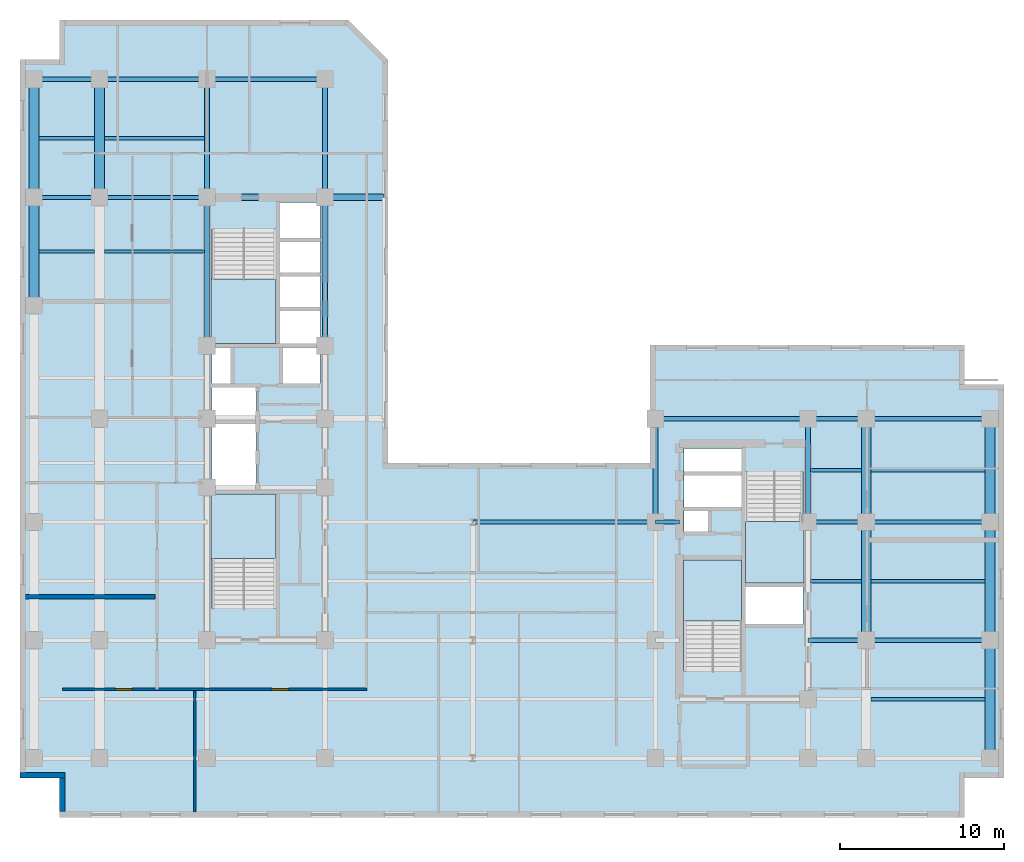
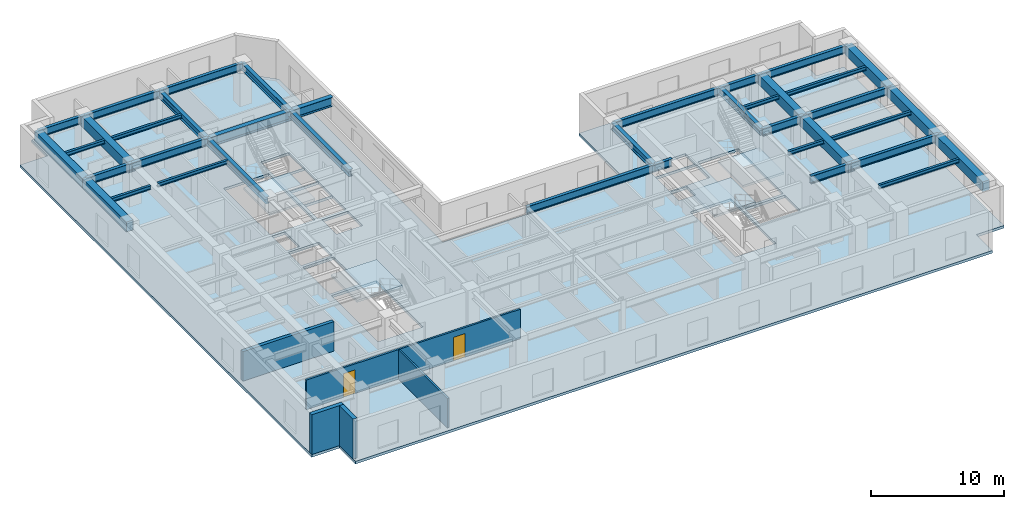
# One storey, part 2 of 10: 38 beams, 5 slabs, 5 walls, 2 doors, 2 openings, 4 elements without a shape of their own.
"""IFC4 building model written with IfcOpenShell, lengths in metres."""

from ifc_helpers import new_model, entity, si_unit, converted_unit, direction, frame, origin_with_axes, origin_2d_with_axis, place, context, subcontext, project, spatial, polyline, rectangle, i_section, outline, extrude, material, layer, layer_set, material_profile, profile_set, type_object, element, fill, aggregate, save


model = new_model("IFC4")

# Units and contexts
model_context = context("Model", 3, precision=1e-05, world=origin_with_axes(), true_north=direction((0.0, 1.0)))
body_context = subcontext(model_context, "Body", "Model", "MODEL_VIEW")
ifc_project = project(units=[si_unit("LENGTHUNIT", "METRE"), si_unit("AREAUNIT", "SQUARE_METRE"), si_unit("VOLUMEUNIT", "CUBIC_METRE"), converted_unit("PLANEANGLEUNIT", "DEGREE", entity("IfcPlaneAngleMeasure", 0.017453292519943295), si_unit("PLANEANGLEUNIT", "RADIAN"), dimensions=[0, 0, 0, 0, 0, 0, 0]), si_unit("MASSUNIT", "GRAM", prefix="KILO"), si_unit("THERMODYNAMICTEMPERATUREUNIT", "KELVIN")], contexts=[model_context])

# Site, building, storey
site_placement = place(None, origin_with_axes())
site = spatial("IfcSite", under=ifc_project, at=site_placement, CompositionType="ELEMENT")
building_placement = place(site_placement, origin_with_axes())
building = spatial("IfcBuilding", under=site, at=building_placement, Name="Varnlund Millrace Tower", CompositionType="ELEMENT")
storey_placement = place(building_placement, frame((0.0, 0.0, 148.5), z_axis=(0.0, 0.0, 1.0), x_axis=(1.0, 0.0, 0.0)))
storey = spatial("IfcBuildingStorey", under=building, at=storey_placement, Name="L36", CompositionType="ELEMENT", Elevation=148.5)

# Beams
ifc_material_1 = material(Name="Steel ASTM A992 Grade 50", Category="steel")
ifc_material_profile_1 = material_profile(ifc_material_1, i_section(OverallWidth=0.328, OverallDepth=0.628, WebThickness=0.0165, FlangeThickness=0.0277, FilletRadius=0.018, at=origin_2d_with_axis()), Name="Steel ASTM A992 Grade 50")
ifc_profile_set_1 = profile_set([ifc_material_profile_1], Name="Steel ASTM A992 Grade 50")
beam_type_1 = type_object("IfcBeamType", Name="Type-Girder-W24X146", PredefinedType="USERDEFINED", material=ifc_profile_set_1)
beam_1_placement = place(storey_placement, frame((11.4, 28.75, 3.346), z_axis=(0.0, 1.0, 0.0), x_axis=(-1.0, 0.0, 0.0)))
element("IfcBeam", 1, at=beam_1_placement, inside=storey, type_object=beam_type_1, Name="Type-Girder-W24X146", ObjectType="GIRDER", PredefinedType="USERDEFINED", context=body_context, shape_type="SweptSolid", body=[
    extrude(i_section(OverallWidth=0.328, OverallDepth=0.628, WebThickness=0.0165, FlangeThickness=0.0277, FilletRadius=0.018, at=origin_2d_with_axis()), origin_with_axes(), (0.0, 0.0, 1.0), 9.05),
])
beam_2_placement = place(storey_placement, frame((11.4, 37.8, 3.346), z_axis=(0.0, 1.0, 0.0), x_axis=(-1.0, 0.0, 0.0)))
element("IfcBeam", 2, at=beam_2_placement, inside=storey, type_object=beam_type_1, Name="Type-Girder-W24X146", ObjectType="GIRDER", PredefinedType="USERDEFINED", context=body_context, shape_type="SweptSolid", body=[
    extrude(i_section(OverallWidth=0.328, OverallDepth=0.628, WebThickness=0.0165, FlangeThickness=0.0277, FilletRadius=0.018, at=origin_2d_with_axis()), origin_with_axes(), (0.0, 0.0, 1.0), 7.2),
])
beam_3_placement = place(storey_placement, frame((18.6, 28.75, 3.346), z_axis=(0.0, 1.0, 0.0), x_axis=(-1.0, 0.0, 0.0)))
element("IfcBeam", 3, at=beam_3_placement, inside=storey, type_object=beam_type_1, Name="Type-Girder-W24X146", ObjectType="GIRDER", PredefinedType="USERDEFINED", context=body_context, shape_type="SweptSolid", body=[
    extrude(i_section(OverallWidth=0.328, OverallDepth=0.628, WebThickness=0.0165, FlangeThickness=0.0277, FilletRadius=0.018, at=origin_2d_with_axis()), origin_with_axes(), (0.0, 0.0, 1.0), 9.05),
])
beam_4_placement = place(storey_placement, frame((18.6, 37.8, 3.346), z_axis=(0.0, 1.0, 0.0), x_axis=(-1.0, 0.0, 0.0)))
element("IfcBeam", 4, at=beam_4_placement, inside=storey, type_object=beam_type_1, Name="Type-Girder-W24X146", ObjectType="GIRDER", PredefinedType="USERDEFINED", context=body_context, shape_type="SweptSolid", body=[
    extrude(i_section(OverallWidth=0.328, OverallDepth=0.628, WebThickness=0.0165, FlangeThickness=0.0277, FilletRadius=0.018, at=origin_2d_with_axis()), origin_with_axes(), (0.0, 0.0, 1.0), 7.2),
])
for number, where, z_axis, x_axis, name in (
    (5, (38.75, 18.0, 3.346), (0.0, 1.0, 0.0), (-1.0, 0.0, 0.0), "Type-Girder-W24X146"),
    (6, (48.05, 18.0, 3.346), (0.0, 1.0, 0.0), (-1.0, 0.0, 0.0), "Type-Girder-W24X146"),
):
    element("IfcBeam", number, at=place(storey_placement, frame(where, z_axis=z_axis, x_axis=x_axis)), inside=storey, type_object=beam_type_1, Name=name, ObjectType="GIRDER", PredefinedType="USERDEFINED", context=body_context, shape_type="SweptSolid", body=[
        extrude(i_section(OverallWidth=0.328, OverallDepth=0.628, WebThickness=0.0165, FlangeThickness=0.0277, FilletRadius=0.018, at=origin_2d_with_axis()), origin_with_axes(), (0.0, 0.0, 1.0), 6.3),
    ])
ifc_material_profile_2 = material_profile(ifc_material_1, i_section(OverallWidth=0.256, OverallDepth=0.693, WebThickness=0.0145, FlangeThickness=0.0236, FilletRadius=0.018, at=origin_2d_with_axis()), Name="Steel ASTM A992 Grade 50")
ifc_profile_set_2 = profile_set([ifc_material_profile_2], Name="Steel ASTM A992 Grade 50")
beam_type_2 = type_object("IfcBeamType", Name="Type-Girder-W27X114", PredefinedType="USERDEFINED", material=ifc_profile_set_2)
beam_5_placement = place(storey_placement, frame((48.05, 10.8, 3.3135), z_axis=(1.0, 0.0, 0.0), x_axis=(0.0, 1.0, 0.0)))
element("IfcBeam", 7, at=beam_5_placement, inside=storey, type_object=beam_type_2, Name="Type-Girder-W27X114", ObjectType="GIRDER", PredefinedType="USERDEFINED", context=body_context, shape_type="SweptSolid", body=[
    extrude(i_section(OverallWidth=0.256, OverallDepth=0.693, WebThickness=0.0145, FlangeThickness=0.0236, FilletRadius=0.018, at=origin_2d_with_axis()), origin_with_axes(), (0.0, 0.0, 1.0), 3.55),
])
beam_6_placement = place(storey_placement, frame((51.6, 10.8, 3.3135), z_axis=(1.0, 0.0, 0.0), x_axis=(0.0, 1.0, 0.0)))
element("IfcBeam", 8, at=beam_6_placement, inside=storey, type_object=beam_type_2, Name="Type-Girder-W27X114", ObjectType="GIRDER", PredefinedType="USERDEFINED", context=body_context, shape_type="SweptSolid", body=[
    extrude(i_section(OverallWidth=0.256, OverallDepth=0.693, WebThickness=0.0145, FlangeThickness=0.0236, FilletRadius=0.018, at=origin_2d_with_axis()), origin_with_axes(), (0.0, 0.0, 1.0), 7.55),
])
beam_7_placement = place(storey_placement, frame((27.6, 18.0, 3.3135), z_axis=(1.0, 0.0, 0.0), x_axis=(0.0, 1.0, 0.0)))
element("IfcBeam", 9, at=beam_7_placement, inside=storey, type_object=beam_type_2, Name="Type-Girder-W27X114", ObjectType="GIRDER", PredefinedType="USERDEFINED", context=body_context, shape_type="SweptSolid", body=[
    extrude(i_section(OverallWidth=0.256, OverallDepth=0.693, WebThickness=0.0145, FlangeThickness=0.0236, FilletRadius=0.018, at=origin_2d_with_axis()), origin_with_axes(), (0.0, 0.0, 1.0), 11.15),
])
beam_8_placement = place(storey_placement, frame((38.75, 18.0, 3.3135), z_axis=(1.0, 0.0, 0.0), x_axis=(0.0, 1.0, 0.0)))
element("IfcBeam", 10, at=beam_8_placement, inside=storey, type_object=beam_type_2, Name="Type-Girder-W27X114", ObjectType="GIRDER", PredefinedType="USERDEFINED", context=body_context, shape_type="SweptSolid", body=[
    extrude(i_section(OverallWidth=0.256, OverallDepth=0.693, WebThickness=0.0145, FlangeThickness=0.0236, FilletRadius=0.018, at=origin_2d_with_axis()), origin_with_axes(), (0.0, 0.0, 1.0), 1.45),
])
beam_9_placement = place(storey_placement, frame((48.05, 18.0, 3.3135), z_axis=(1.0, 0.0, 0.0), x_axis=(0.0, 1.0, 0.0)))
element("IfcBeam", 11, at=beam_9_placement, inside=storey, type_object=beam_type_2, Name="Type-Girder-W27X114", ObjectType="GIRDER", PredefinedType="USERDEFINED", context=body_context, shape_type="SweptSolid", body=[
    extrude(i_section(OverallWidth=0.256, OverallDepth=0.693, WebThickness=0.0145, FlangeThickness=0.0236, FilletRadius=0.018, at=origin_2d_with_axis()), origin_with_axes(), (0.0, 0.0, 1.0), 3.55),
])
beam_10_placement = place(storey_placement, frame((51.6, 18.0, 3.3135), z_axis=(1.0, 0.0, 0.0), x_axis=(0.0, 1.0, 0.0)))
element("IfcBeam", 12, at=beam_10_placement, inside=storey, type_object=beam_type_2, Name="Type-Girder-W27X114", ObjectType="GIRDER", PredefinedType="USERDEFINED", context=body_context, shape_type="SweptSolid", body=[
    extrude(i_section(OverallWidth=0.256, OverallDepth=0.693, WebThickness=0.0145, FlangeThickness=0.0236, FilletRadius=0.018, at=origin_2d_with_axis()), origin_with_axes(), (0.0, 0.0, 1.0), 7.55),
])
beam_11_placement = place(storey_placement, frame((38.75, 24.3, 3.3135), z_axis=(1.0, 0.0, 0.0), x_axis=(0.0, 1.0, 0.0)))
element("IfcBeam", 13, at=beam_11_placement, inside=storey, type_object=beam_type_2, Name="Type-Girder-W27X114", ObjectType="GIRDER", PredefinedType="USERDEFINED", context=body_context, shape_type="SweptSolid", body=[
    extrude(i_section(OverallWidth=0.256, OverallDepth=0.693, WebThickness=0.0145, FlangeThickness=0.0236, FilletRadius=0.018, at=origin_2d_with_axis()), origin_with_axes(), (0.0, 0.0, 1.0), 9.3),
])
beam_12_placement = place(storey_placement, frame((48.05, 24.3, 3.3135), z_axis=(1.0, 0.0, 0.0), x_axis=(0.0, 1.0, 0.0)))
element("IfcBeam", 14, at=beam_12_placement, inside=storey, type_object=beam_type_2, Name="Type-Girder-W27X114", ObjectType="GIRDER", PredefinedType="USERDEFINED", context=body_context, shape_type="SweptSolid", body=[
    extrude(i_section(OverallWidth=0.256, OverallDepth=0.693, WebThickness=0.0145, FlangeThickness=0.0236, FilletRadius=0.018, at=origin_2d_with_axis()), origin_with_axes(), (0.0, 0.0, 1.0), 3.55),
])
beam_13_placement = place(storey_placement, frame((51.6, 24.3, 3.3135), z_axis=(1.0, 0.0, 0.0), x_axis=(0.0, 1.0, 0.0)))
element("IfcBeam", 15, at=beam_13_placement, inside=storey, type_object=beam_type_2, Name="Type-Girder-W27X114", ObjectType="GIRDER", PredefinedType="USERDEFINED", context=body_context, shape_type="SweptSolid", body=[
    extrude(i_section(OverallWidth=0.256, OverallDepth=0.693, WebThickness=0.0145, FlangeThickness=0.0236, FilletRadius=0.018, at=origin_2d_with_axis()), origin_with_axes(), (0.0, 0.0, 1.0), 7.55),
])
beam_14_placement = place(storey_placement, frame((0.85, 37.8, 3.3135), z_axis=(1.0, 0.0, 0.0), x_axis=(0.0, 1.0, 0.0)))
element("IfcBeam", 16, at=beam_14_placement, inside=storey, type_object=beam_type_2, Name="Type-Girder-W27X114", ObjectType="GIRDER", PredefinedType="USERDEFINED", context=body_context, shape_type="SweptSolid", body=[
    extrude(i_section(OverallWidth=0.256, OverallDepth=0.693, WebThickness=0.0145, FlangeThickness=0.0236, FilletRadius=0.018, at=origin_2d_with_axis()), origin_with_axes(), (0.0, 0.0, 1.0), 4.0),
])
beam_15_placement = place(storey_placement, frame((4.85, 37.8, 3.3135), z_axis=(1.0, 0.0, 0.0), x_axis=(0.0, 1.0, 0.0)))
element("IfcBeam", 17, at=beam_15_placement, inside=storey, type_object=beam_type_2, Name="Type-Girder-W27X114", ObjectType="GIRDER", PredefinedType="USERDEFINED", context=body_context, shape_type="SweptSolid", body=[
    extrude(i_section(OverallWidth=0.256, OverallDepth=0.693, WebThickness=0.0145, FlangeThickness=0.0236, FilletRadius=0.018, at=origin_2d_with_axis()), origin_with_axes(), (0.0, 0.0, 1.0), 6.55),
])
beam_16_placement = place(storey_placement, frame((0.85, 45.0, 3.3135), z_axis=(1.0, 0.0, 0.0), x_axis=(0.0, 1.0, 0.0)))
element("IfcBeam", 18, at=beam_16_placement, inside=storey, type_object=beam_type_2, Name="Type-Girder-W27X114", ObjectType="GIRDER", PredefinedType="USERDEFINED", context=body_context, shape_type="SweptSolid", body=[
    extrude(i_section(OverallWidth=0.256, OverallDepth=0.693, WebThickness=0.0145, FlangeThickness=0.0236, FilletRadius=0.018, at=origin_2d_with_axis()), origin_with_axes(), (0.0, 0.0, 1.0), 4.0),
])
beam_17_placement = place(storey_placement, frame((4.85, 45.0, 3.3135), z_axis=(1.0, 0.0, 0.0), x_axis=(0.0, 1.0, 0.0)))
element("IfcBeam", 19, at=beam_17_placement, inside=storey, type_object=beam_type_2, Name="Type-Girder-W27X114", ObjectType="GIRDER", PredefinedType="USERDEFINED", context=body_context, shape_type="SweptSolid", body=[
    extrude(i_section(OverallWidth=0.256, OverallDepth=0.693, WebThickness=0.0145, FlangeThickness=0.0236, FilletRadius=0.018, at=origin_2d_with_axis()), origin_with_axes(), (0.0, 0.0, 1.0), 6.55),
])
beam_18_placement = place(storey_placement, frame((11.4, 45.0, 3.3135), z_axis=(1.0, 0.0, 0.0), x_axis=(0.0, 1.0, 0.0)))
element("IfcBeam", 20, at=beam_18_placement, inside=storey, type_object=beam_type_2, Name="Type-Girder-W27X114", ObjectType="GIRDER", PredefinedType="USERDEFINED", context=body_context, shape_type="SweptSolid", body=[
    extrude(i_section(OverallWidth=0.256, OverallDepth=0.693, WebThickness=0.0145, FlangeThickness=0.0236, FilletRadius=0.018, at=origin_2d_with_axis()), origin_with_axes(), (0.0, 0.0, 1.0), 7.2),
])
ifc_material_profile_3 = material_profile(ifc_material_1, i_section(OverallWidth=0.399, OverallDepth=0.855, WebThickness=0.0182, FlangeThickness=0.0292, FilletRadius=0.022, at=origin_2d_with_axis()), Name="Steel ASTM A992 Grade 50")
ifc_profile_set_3 = profile_set([ifc_material_profile_3], Name="Steel ASTM A992 Grade 50")
beam_type_3 = type_object("IfcBeamType", Name="Type-Girder-W33X201", PredefinedType="USERDEFINED", material=ifc_profile_set_3)
beam_19_placement = place(storey_placement, frame((11.4, 37.8, 3.2325), z_axis=(1.0, 0.0, 0.0), x_axis=(0.0, 1.0, 0.0)))
element("IfcBeam", 21, at=beam_19_placement, inside=storey, type_object=beam_type_3, Name="Type-Girder-W33X201", ObjectType="GIRDER", PredefinedType="USERDEFINED", context=body_context, shape_type="SweptSolid", body=[
    extrude(i_section(OverallWidth=0.399, OverallDepth=0.855, WebThickness=0.0182, FlangeThickness=0.0292, FilletRadius=0.022, at=origin_2d_with_axis()), origin_with_axes(), (0.0, 0.0, 1.0), 10.791),
])
ifc_material_profile_4 = material_profile(ifc_material_1, i_section(OverallWidth=0.204, OverallDepth=0.35, WebThickness=0.0086, FlangeThickness=0.0151, FilletRadius=0.013, at=origin_2d_with_axis()), Name="Steel ASTM A992 Grade 50")
ifc_profile_set_4 = profile_set([ifc_material_profile_4], Name="Steel ASTM A992 Grade 50")
beam_type_4 = type_object("IfcBeamType", Name="Type-Joist-W14X48", PredefinedType="JOIST", material=ifc_profile_set_4)
for number, where, z_axis, x_axis, name in (
    (22, (1.15, 34.5, 3.485), (1.0, 0.0, 0.0), (0.0, 1.0, 0.0), "Type-Joist-W14X48"),
    (23, (1.15, 41.4, 3.485), (1.0, 0.0, 0.0), (0.0, 1.0, 0.0), "Type-Joist-W14X48"),
):
    element("IfcBeam", number, at=place(storey_placement, frame(where, z_axis=z_axis, x_axis=x_axis)), inside=storey, type_object=beam_type_4, Name=name, PredefinedType="JOIST", context=body_context, shape_type="SweptSolid", body=[
        extrude(i_section(OverallWidth=0.204, OverallDepth=0.35, WebThickness=0.0086, FlangeThickness=0.0151, FilletRadius=0.013, at=origin_2d_with_axis()), origin_with_axes(), (0.0, 0.0, 1.0), 3.4),
    ])
for number, where, z_axis, x_axis, name in (
    (24, (5.15, 34.5, 3.485), (1.0, 0.0, 0.0), (0.0, 1.0, 0.0), "Type-Joist-W14X48"),
    (25, (5.15, 41.4, 3.485), (1.0, 0.0, 0.0), (0.0, 1.0, 0.0), "Type-Joist-W14X48"),
):
    element("IfcBeam", number, at=place(storey_placement, frame(where, z_axis=z_axis, x_axis=x_axis)), inside=storey, type_object=beam_type_4, Name=name, PredefinedType="JOIST", context=body_context, shape_type="SweptSolid", body=[
        extrude(i_section(OverallWidth=0.204, OverallDepth=0.35, WebThickness=0.0086, FlangeThickness=0.0151, FilletRadius=0.013, at=origin_2d_with_axis()), origin_with_axes(), (0.0, 0.0, 1.0), 6.086),
    ])
for number, where, z_axis, x_axis, name in (
    (26, (48.214, 14.4, 3.485), (1.0, 0.0, 0.0), (0.0, 1.0, 0.0), "Type-Joist-W14X48"),
    (27, (48.214, 21.15, 3.485), (1.0, 0.0, 0.0), (0.0, 1.0, 0.0), "Type-Joist-W14X48"),
):
    element("IfcBeam", number, at=place(storey_placement, frame(where, z_axis=z_axis, x_axis=x_axis)), inside=storey, type_object=beam_type_4, Name=name, PredefinedType="JOIST", context=body_context, shape_type="SweptSolid", body=[
        extrude(i_section(OverallWidth=0.204, OverallDepth=0.35, WebThickness=0.0086, FlangeThickness=0.0151, FilletRadius=0.013, at=origin_2d_with_axis()), origin_with_axes(), (0.0, 0.0, 1.0), 3.086),
    ])
for number, where, z_axis, x_axis, name in (
    (28, (51.9, 7.2, 3.485), (1.0, 0.0, 0.0), (0.0, 1.0, 0.0), "Type-Joist-W14X48"),
    (29, (51.9, 14.4, 3.485), (1.0, 0.0, 0.0), (0.0, 1.0, 0.0), "Type-Joist-W14X48"),
    (30, (51.9, 21.15, 3.485), (1.0, 0.0, 0.0), (0.0, 1.0, 0.0), "Type-Joist-W14X48"),
):
    element("IfcBeam", number, at=place(storey_placement, frame(where, z_axis=z_axis, x_axis=x_axis)), inside=storey, type_object=beam_type_4, Name=name, PredefinedType="JOIST", context=body_context, shape_type="SweptSolid", body=[
        extrude(i_section(OverallWidth=0.204, OverallDepth=0.35, WebThickness=0.0086, FlangeThickness=0.0151, FilletRadius=0.013, at=origin_2d_with_axis()), origin_with_axes(), (0.0, 0.0, 1.0), 6.95),
    ])
ifc_material_2 = material(Name="Concrete C70/85", Category="concrete")
ifc_material_profile_5 = material_profile(ifc_material_2, rectangle(XDim=0.6, YDim=0.9, at=origin_2d_with_axis()), Name="Concrete C70/85")
ifc_profile_set_5 = profile_set([ifc_material_profile_5], Name="Concrete C70/85")
beam_type_5 = type_object("IfcBeamType", Name="Type-Spandrel-RC600X900", PredefinedType="SPANDREL", material=ifc_profile_set_5)
beam_20_placement = place(storey_placement, frame((0.85, 31.2, 3.21), z_axis=(0.0, 1.0, 0.0), x_axis=(-1.0, 0.0, 0.0)))
element("IfcBeam", 31, at=beam_20_placement, inside=storey, type_object=beam_type_5, Name="Type-Spandrel-RC600X900", PredefinedType="SPANDREL", context=body_context, shape_type="SweptSolid", body=[
    extrude(rectangle(XDim=0.6, YDim=0.9, at=origin_2d_with_axis()), origin_with_axes(), (0.0, 0.0, 1.0), 6.6),
])
for number, where, z_axis, x_axis, name in (
    (32, (0.85, 37.8, 3.21), (0.0, 1.0, 0.0), (-1.0, 0.0, 0.0), "Type-Spandrel-RC600X900"),
    (33, (4.85, 37.8, 3.21), (0.0, 1.0, 0.0), (-1.0, 0.0, 0.0), "Type-Spandrel-RC600X900"),
    (34, (51.6, 10.8, 3.21), (0.0, 1.0, 0.0), (-1.0, 0.0, 0.0), "Type-Spandrel-RC600X900"),
):
    element("IfcBeam", number, at=place(storey_placement, frame(where, z_axis=z_axis, x_axis=x_axis)), inside=storey, type_object=beam_type_5, Name=name, PredefinedType="SPANDREL", context=body_context, shape_type="SweptSolid", body=[
        extrude(rectangle(XDim=0.6, YDim=0.9, at=origin_2d_with_axis()), origin_with_axes(), (0.0, 0.0, 1.0), 7.2),
    ])
beam_21_placement = place(storey_placement, frame((51.6, 18.0, 3.21), z_axis=(0.0, 1.0, 0.0), x_axis=(-1.0, 0.0, 0.0)))
element("IfcBeam", 35, at=beam_21_placement, inside=storey, type_object=beam_type_5, Name="Type-Spandrel-RC600X900", PredefinedType="SPANDREL", context=body_context, shape_type="SweptSolid", body=[
    extrude(rectangle(XDim=0.6, YDim=0.9, at=origin_2d_with_axis()), origin_with_axes(), (0.0, 0.0, 1.0), 6.3),
])
for number, where, z_axis, x_axis, name in (
    (36, (59.15, 3.6, 3.21), (0.0, 1.0, 0.0), (-1.0, 0.0, 0.0), "Type-Spandrel-RC600X900"),
    (37, (59.15, 10.8, 3.21), (0.0, 1.0, 0.0), (-1.0, 0.0, 0.0), "Type-Spandrel-RC600X900"),
):
    element("IfcBeam", number, at=place(storey_placement, frame(where, z_axis=z_axis, x_axis=x_axis)), inside=storey, type_object=beam_type_5, Name=name, PredefinedType="SPANDREL", context=body_context, shape_type="SweptSolid", body=[
        extrude(rectangle(XDim=0.6, YDim=0.9, at=origin_2d_with_axis()), origin_with_axes(), (0.0, 0.0, 1.0), 7.2),
    ])
beam_22_placement = place(storey_placement, frame((59.15, 18.0, 3.21), z_axis=(0.0, 1.0, 0.0), x_axis=(-1.0, 0.0, 0.0)))
element("IfcBeam", 38, at=beam_22_placement, inside=storey, type_object=beam_type_5, Name="Type-Spandrel-RC600X900", PredefinedType="SPANDREL", context=body_context, shape_type="SweptSolid", body=[
    extrude(rectangle(XDim=0.6, YDim=0.9, at=origin_2d_with_axis()), origin_with_axes(), (0.0, 0.0, 1.0), 6.3),
])

# Slab
ifc_material_3 = material(Name="Concrete C60/75", Category="concrete")
ifc_layer_1 = layer(ifc_material_3, 0.24, Name="Concrete C60/75")
ifc_layer_set_1 = layer_set([ifc_layer_1], Name="Concrete C60/75")
slab_type_1 = type_object("IfcSlabType", Name="Type-Deck-Plate-Typical-240", PredefinedType="FLOOR", material=ifc_layer_set_1)
slab_1_placement = place(storey_placement, frame((0.0, 0.0, -0.24), z_axis=(0.0, 0.0, 1.0), x_axis=(1.0, 0.0, 0.0)))
element("IfcSlab", 39, at=slab_1_placement, inside=storey, type_object=slab_type_1, Name="Type-Deck-Plate-Typical-240", PredefinedType="FLOOR", context=body_context, shape_type="SweptSolid", body=[
    extrude(outline(polyline([(22.441, 21.6), (22.441, 46.2), (20.041, 48.6), (2.4, 48.6), (2.4, 46.2), (0.0, 46.2), (0.0, 2.4), (2.4, 2.4), (2.4, 0.0), (57.6, 0.0), (57.6, 2.4), (60.0, 2.4), (60.0, 26.4), (57.6, 26.4), (57.6, 28.8), (38.4, 28.8), (38.4, 21.6), (22.441, 21.6)]), holes=[polyline([(15.6, 12.715), (11.7, 12.715), (11.7, 19.7), (15.6, 19.7), (15.6, 12.715)]), polyline([(14.38, 23.98), (14.38, 19.94), (11.7, 19.94), (11.7, 23.98), (14.38, 23.98)]), polyline([(14.38, 24.24), (11.7, 24.24), (11.7, 26.2), (14.38, 26.2), (14.38, 24.24)]), polyline([(12.84, 26.46), (11.7, 26.46), (11.7, 28.65), (12.84, 28.65), (12.84, 26.46)]), polyline([(18.3, 28.9), (15.84, 28.9), (15.84, 30.98), (18.3, 30.98), (18.3, 28.9)]), polyline([(18.3, 31.02), (15.84, 31.02), (15.84, 33.08), (18.3, 33.08), (18.3, 31.02)]), polyline([(15.6, 28.9), (11.7, 28.9), (11.7, 35.885), (15.6, 35.885), (15.6, 28.9)]), polyline([(18.3, 33.12), (15.84, 33.12), (15.84, 35.18), (18.3, 35.18), (18.3, 33.12)]), polyline([(44.0, 8.915), (40.5, 8.915), (40.5, 15.7), (44.0, 15.7), (44.0, 8.915)]), polyline([(47.75, 11.74), (44.25, 11.74), (44.25, 14.06), (47.75, 14.06), (47.75, 11.74)]), polyline([(47.75, 14.3), (44.25, 14.3), (44.25, 21.085), (47.75, 21.085), (47.75, 14.3)]), polyline([(41.95, 17.42), (40.5, 17.42), (40.5, 18.72), (41.95, 18.72), (41.95, 17.42)]), polyline([(44.0, 18.88), (40.5, 18.88), (40.5, 20.94), (44.0, 20.94), (44.0, 18.88)]), polyline([(44.0, 21.0), (40.5, 21.0), (40.5, 22.5), (44.0, 22.5), (44.0, 21.0)]), polyline([(16.04, 26.46), (16.04, 28.65), (18.3, 28.65), (18.3, 26.46), (16.04, 26.46)]), polyline([(15.84, 35.22), (15.84, 37.5), (18.3, 37.5), (18.3, 35.22), (15.84, 35.22)])]), origin_with_axes(), (0.0, 0.0, 1.0), 0.24),
])

# Stair, slab
ifc_material_4 = material(Name="Concrete C50/60", Category="concrete")
stair_type_1 = type_object("IfcStairType", Name="Type-Stair-Dogleg-185-390", PredefinedType="HALF_TURN_STAIR", material=ifc_material_4)
stair_1_placement = place(storey_placement, origin_with_axes())
stair_1 = element("IfcStair", 40, at=stair_1_placement, inside=storey, type_object=stair_type_1, Name="Type-Stair-Dogleg-185-390", PredefinedType="HALF_TURN_STAIR")
ifc_layer_2 = layer(ifc_material_4, 0.2, Name="Concrete C50/60")
ifc_layer_set_2 = layer_set([ifc_layer_2], Name="Concrete C50/60")
slab_type_2 = type_object("IfcSlabType", Name="Type-StairLanding-200", PredefinedType="LANDING", material=ifc_layer_set_2)
slab_2_placement = place(storey_placement, frame((0.0, 0.0, 1.75), z_axis=(0.0, 0.0, 1.0), x_axis=(1.0, 0.0, 0.0)))
slab_2 = element("IfcSlab", 41, at=slab_2_placement, type_object=slab_type_2, Name="ST-A1 landing 1", PredefinedType="LANDING", context=body_context, shape_type="SweptSolid", body=[
    extrude(outline(polyline([(15.6, 15.78), (15.6, 19.7), (11.65, 19.7), (11.65, 15.78), (15.6, 15.78)])), origin_with_axes(), (0.0, 0.0, 1.0), 0.2),
])
aggregate(stair_1, [slab_2])

stair_2_placement = place(storey_placement, origin_with_axes())
stair_2 = element("IfcStair", 42, at=stair_2_placement, inside=storey, type_object=stair_type_1, Name="Type-Stair-Dogleg-185-390", PredefinedType="HALF_TURN_STAIR")
slab_3_placement = place(storey_placement, frame((0.0, 0.0, 1.75), z_axis=(0.0, 0.0, 1.0), x_axis=(1.0, 0.0, 0.0)))
slab_3 = element("IfcSlab", 43, at=slab_3_placement, type_object=slab_type_2, Name="ST-A2 landing 1", PredefinedType="LANDING", context=body_context, shape_type="SweptSolid", body=[
    extrude(outline(polyline([(11.65, 32.82), (11.65, 28.9), (15.6, 28.9), (15.6, 32.82), (11.65, 32.82)])), origin_with_axes(), (0.0, 0.0, 1.0), 0.2),
])
aggregate(stair_2, [slab_3])

stair_type_2 = type_object("IfcStairType", Name="Type-Stair-Dogleg-165-390", PredefinedType="HALF_TURN_STAIR", material=ifc_material_4)
stair_3_placement = place(storey_placement, origin_with_axes())
stair_3 = element("IfcStair", 44, at=stair_3_placement, inside=storey, type_object=stair_type_2, Name="Type-Stair-Dogleg-165-390", PredefinedType="HALF_TURN_STAIR")
slab_4_placement = place(storey_placement, frame((0.0, 0.0, 1.75), z_axis=(0.0, 0.0, 1.0), x_axis=(1.0, 0.0, 0.0)))
slab_4 = element("IfcSlab", 45, at=slab_4_placement, type_object=slab_type_2, Name="ST-B1 landing 1", PredefinedType="LANDING", context=body_context, shape_type="SweptSolid", body=[
    extrude(outline(polyline([(44.0, 11.98), (44.0, 15.7), (40.45, 15.7), (40.45, 11.98), (44.0, 11.98)])), origin_with_axes(), (0.0, 0.0, 1.0), 0.2),
])
aggregate(stair_3, [slab_4])

stair_4_placement = place(storey_placement, origin_with_axes())
stair_4 = element("IfcStair", 46, at=stair_4_placement, inside=storey, type_object=stair_type_2, Name="Type-Stair-Dogleg-165-390", PredefinedType="HALF_TURN_STAIR")
slab_5_placement = place(storey_placement, frame((0.0, 0.0, 1.75), z_axis=(0.0, 0.0, 1.0), x_axis=(1.0, 0.0, 0.0)))
slab_5 = element("IfcSlab", 47, at=slab_5_placement, type_object=slab_type_2, Name="ST-B2 landing 1", PredefinedType="LANDING", context=body_context, shape_type="SweptSolid", body=[
    extrude(outline(polyline([(44.25, 18.02), (44.25, 14.3), (47.8, 14.3), (47.8, 18.02), (44.25, 18.02)])), origin_with_axes(), (0.0, 0.0, 1.0), 0.2),
])
aggregate(stair_4, [slab_5])

# Walls
ifc_material_5 = material(Name="Precast concrete C50/60", Category="concrete")
ifc_layer_3 = layer(ifc_material_5, 0.34, Name="Precast concrete C50/60")
ifc_layer_set_3 = layer_set([ifc_layer_3], Name="Precast concrete C50/60")
wall_type_1 = type_object("IfcWallType", Name="Type-ExtWall-Precast-Upper-340", PredefinedType="SOLIDWALL", material=ifc_layer_set_3)
wall_1_placement = place(storey_placement, frame((2.57, 0.34, 0.0), z_axis=(0.0, 0.0, 1.0), x_axis=(0.0, 1.0, 0.0)))
element("IfcWall", 48, at=wall_1_placement, inside=storey, type_object=wall_type_1, Name="Type-ExtWall-Precast-Upper-340", PredefinedType="SOLIDWALL", context=body_context, shape_type="SweptSolid", body=[
    extrude(outline(polyline([(0.0, -0.17), (2.06, -0.17), (2.06, 0.17), (0.0, 0.17), (0.0, -0.17)])), origin_with_axes(), (0.0, 0.0, 1.0), 3.66),
])
wall_2_placement = place(storey_placement, frame((2.74, 2.57, 0.0), z_axis=(0.0, 0.0, 1.0), x_axis=(-1.0, 0.0, 0.0)))
element("IfcWall", 49, at=wall_2_placement, inside=storey, type_object=wall_type_1, Name="Type-ExtWall-Precast-Upper-340", PredefinedType="SOLIDWALL", context=body_context, shape_type="SweptSolid", body=[
    extrude(outline(polyline([(0.0, -0.17), (2.74, -0.17), (2.74, 0.17), (0.0, 0.17), (0.0, -0.17)])), origin_with_axes(), (0.0, 0.0, 1.0), 3.66),
])
ifc_material_6 = material(Name="Double-stud STC-60 conference acoustic partition", Category="gypsum")
ifc_layer_4 = layer(ifc_material_6, 0.28, Name="Double-stud STC-60 conference acoustic partition")
ifc_layer_set_4 = layer_set([ifc_layer_4], Name="Double-stud STC-60 conference acoustic partition")
wall_type_2 = type_object("IfcWallType", Name="Type-Partition-Acoustic-280", PredefinedType="PARTITIONING", material=ifc_layer_set_4)
wall_3_placement = place(storey_placement, frame((0.335, 13.455, 0.0), z_axis=(0.0, 0.0, 1.0), x_axis=(1.0, 0.0, 0.0)))
element("IfcWall", 50, at=wall_3_placement, inside=storey, type_object=wall_type_2, Name="Type-Partition-Acoustic-280", PredefinedType="PARTITIONING", context=body_context, shape_type="SweptSolid", body=[
    extrude(outline(polyline([(0.0, -0.14), (7.895, -0.14), (7.895, 0.14), (0.0, 0.14), (0.0, -0.14)])), origin_with_axes(), (0.0, 0.0, 1.0), 2.7),
])

# Wall, openings, doors
ifc_material_7 = material(Name="Fire-rated gypsum board on cold-formed steel framing", Category="steel")
ifc_layer_5 = layer(ifc_material_7, 0.16, Name="Fire-rated gypsum board on cold-formed steel framing")
ifc_layer_set_5 = layer_set([ifc_layer_5], Name="Fire-rated gypsum board on cold-formed steel framing")
wall_type_3 = type_object("IfcWallType", Name="Type-Partition-Corridor-160", PredefinedType="PARTITIONING", material=ifc_layer_set_5)
wall_4_placement = place(storey_placement, frame((2.6, 7.8, 0.0), z_axis=(0.0, 0.0, 1.0), x_axis=(1.0, 0.0, 0.0)))
wall_4 = element("IfcWall", 51, at=wall_4_placement, inside=storey, type_object=wall_type_3, Name="Type-Partition-Corridor-160", PredefinedType="PARTITIONING", context=body_context, shape_type="SweptSolid", body=[
    extrude(outline(polyline([(0.0, -0.08), (18.55, -0.08), (18.55, 0.08), (0.0, 0.08), (0.0, -0.08)])), origin_with_axes(), (0.0, 0.0, 1.0), 2.7),
])
opening_1_placement = place(wall_4_placement, frame((3.737, 0.0, 0.0), z_axis=(0.0, 0.0, 1.0), x_axis=(1.0, 0.0, 0.0)))
opening_1 = element("IfcOpeningElement", 52, at=opening_1_placement, cuts=wall_4, Name="Opening L36:DR-WAS-01", PredefinedType="OPENING", context=body_context, shape_type="SweptSolid", body=[
    extrude(rectangle(XDim=1.0, YDim=0.18, at=origin_2d_with_axis()), origin_with_axes(), (0.0, 0.0, 1.0), 2.15),
])
opening_2_placement = place(wall_4_placement, frame((13.2725, 0.0, 0.0), z_axis=(0.0, 0.0, 1.0), x_axis=(1.0, 0.0, 0.0)))
opening_2 = element("IfcOpeningElement", 53, at=opening_2_placement, cuts=wall_4, Name="Opening L36:DR-WAS-02", PredefinedType="OPENING", context=body_context, shape_type="SweptSolid", body=[
    extrude(rectangle(XDim=1.0, YDim=0.18, at=origin_2d_with_axis()), origin_with_axes(), (0.0, 0.0, 1.0), 2.15),
])
ifc_material_8 = material(Name="Solid-core white oak and bronze frame door")
door_type = type_object("IfcDoorType", Name="Type-IntDoor-Office-1000X2150", OperationType="NOTDEFINED", PredefinedType="DOOR", material=ifc_material_8)
door_1_placement = place(wall_4_placement, frame((3.737, 0.0, 0.0), z_axis=(0.0, 0.0, 1.0), x_axis=(1.0, 0.0, 0.0)))
door_1 = element("IfcDoor", 54, at=door_1_placement, inside=storey, type_object=door_type, Name="Type-IntDoor-Office-1000X2150", OperationType="SINGLE_SWING_LEFT", OverallHeight=2.15, OverallWidth=1.0, PredefinedType="DOOR", context=body_context, shape_type="SweptSolid", body=[
    extrude(rectangle(XDim=1.0, YDim=0.09, at=origin_2d_with_axis()), origin_with_axes(), (0.0, 0.0, 1.0), 2.15),
])
fill(opening_1, door_1)
door_2_placement = place(wall_4_placement, frame((13.2725, 0.0, 0.0), z_axis=(0.0, 0.0, 1.0), x_axis=(1.0, 0.0, 0.0)))
door_2 = element("IfcDoor", 55, at=door_2_placement, inside=storey, type_object=door_type, Name="Type-IntDoor-Office-1000X2150", OperationType="SINGLE_SWING_RIGHT", OverallHeight=2.15, OverallWidth=1.0, PredefinedType="DOOR", context=body_context, shape_type="SweptSolid", body=[
    extrude(rectangle(XDim=1.0, YDim=0.09, at=origin_2d_with_axis()), origin_with_axes(), (0.0, 0.0, 1.0), 2.15),
])
fill(opening_2, door_2)

# Wall
ifc_material_9 = material(Name="Acoustic STC-50 gypsum board partition", Category="gypsum")
ifc_layer_6 = layer(ifc_material_9, 0.15, Name="Acoustic STC-50 gypsum board partition")
ifc_layer_set_6 = layer_set([ifc_layer_6], Name="Acoustic STC-50 gypsum board partition")
wall_type_4 = type_object("IfcWallType", Name="Type-Partition-Demising-150", PredefinedType="PARTITIONING", material=ifc_layer_set_6)
wall_5_placement = place(storey_placement, frame((10.645, 0.335, 0.0), z_axis=(0.0, 0.0, 1.0), x_axis=(0.0, 1.0, 0.0)))
element("IfcWall", 56, at=wall_5_placement, inside=storey, type_object=wall_type_4, Name="Type-Partition-Demising-150", PredefinedType="PARTITIONING", context=body_context, shape_type="SweptSolid", body=[
    extrude(outline(polyline([(0.0, -0.075), (7.365, -0.075), (7.365, 0.075), (0.0, 0.075), (0.0, -0.075)])), origin_with_axes(), (0.0, 0.0, 1.0), 2.7),
])

save(model, "model.ifc")
